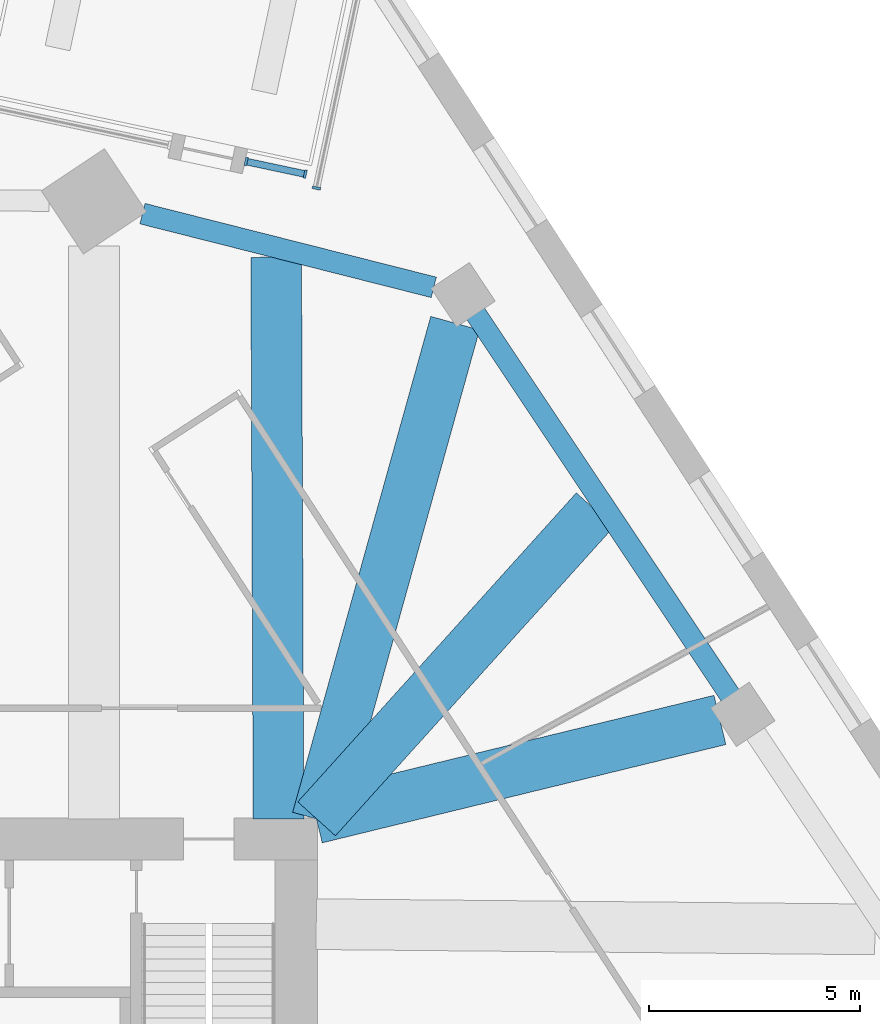
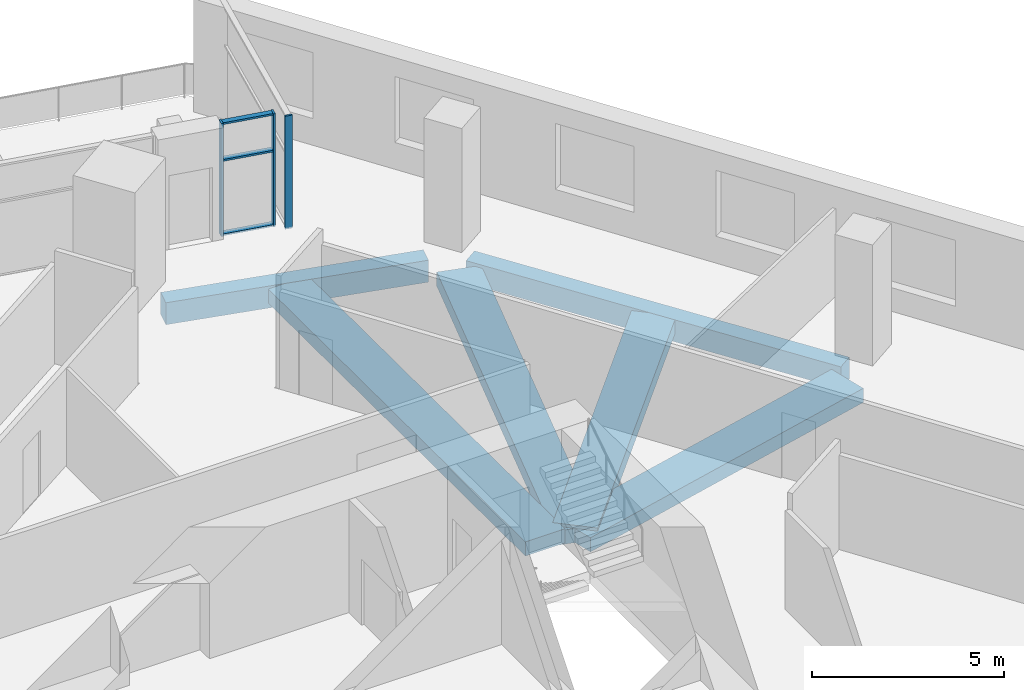
# One storey, part 2 of 12: 6 beams, 6 members, 2 elements without a shape of their own.
"""IFC4 building model written with IfcOpenShell, lengths in metres."""

from ifc_helpers import new_model, si_unit, direction, frame, origin, origin_2d, place, context, subcontext, project, spatial, rectangle, extrude, material, material_profile, profile_set, type_object, element, aggregate, save


model = new_model("IFC4")

# Units and contexts
model_context = context("Model", 3, precision=1e-05, world=origin(), true_north=direction((0.0, 1.0)))
body_context = subcontext(model_context, "Body", "Model", "MODEL_VIEW")
ifc_project = project(units=[si_unit("LENGTHUNIT", "METRE"), si_unit("AREAUNIT", "SQUARE_METRE"), si_unit("VOLUMEUNIT", "CUBIC_METRE"), si_unit("PLANEANGLEUNIT", "RADIAN"), si_unit("MASSUNIT", "GRAM", prefix="KILO")], contexts=[model_context])

# Site, building, storey
site_placement = place(None, origin())
site = spatial("IfcSite", under=ifc_project, at=site_placement, CompositionType="ELEMENT")
building_placement = place(site_placement, origin())
building = spatial("IfcBuilding", under=site, at=building_placement, Name="Dilmun Exchange Tower", CompositionType="ELEMENT")
storey_placement = place(building_placement, frame((0.0, 0.0, 159.699951171875)))
storey = spatial("IfcBuildingStorey", under=building, at=storey_placement, Name="L37", CompositionType="ELEMENT", Elevation=159.699951171875)

# Curtain wall, member
ifc_material_1 = material(Name="Anodised aluminium and clear glass", Category="aluminium")
curtain_wall_type = type_object("IfcCurtainWallType", Name="Garden corner glazing", PredefinedType="NOTDEFINED", material=ifc_material_1)
curtain_wall_1_placement = place(storey_placement, origin())
curtain_wall_1 = element("IfcCurtainWall", 1, at=curtain_wall_1_placement, inside=storey, type_object=curtain_wall_type, Name="Garden corner glazing run GC1.1", PredefinedType="NOTDEFINED")
ifc_material_2 = material(Name="Anodised aluminium", Category="aluminium")
ifc_material_profile_1 = material_profile(ifc_material_2, rectangle(XDim=0.199951171875, YDim=0.06005859375, at=origin_2d()), Name="AL 60x200")
ifc_profile_set_1 = profile_set([ifc_material_profile_1], Name="Anodised aluminium")
member_type_1 = type_object("IfcMemberType", Name="Garden corner glazing mullion 60 x 200", PredefinedType="MULLION", material=ifc_profile_set_1)
member_1_placement = place(storey_placement, frame((12.778076171875, 27.724365234375, 0.0), z_axis=(0.0, 0.0, 1.0), x_axis=(0.978147579121, -0.207911792498, 0.0)))
member_1 = element("IfcMember", 2, at=member_1_placement, type_object=member_type_1, Name="GC1.1 mullion 2", PredefinedType="MULLION", context=body_context, shape_type="SweptSolid", body=[
    extrude(rectangle(XDim=0.199951171875, YDim=0.06005859375, at=origin_2d()), origin(), (0.0, 0.0, 1.0), 3.60009765625),
])
aggregate(curtain_wall_1, [member_1])

# Curtain wall, members
curtain_wall_2_placement = place(storey_placement, origin())
curtain_wall_2 = element("IfcCurtainWall", 3, at=curtain_wall_2_placement, inside=storey, type_object=curtain_wall_type, Name="Garden corner glazing run GC2.1", PredefinedType="NOTDEFINED")
member_2_placement = place(storey_placement, frame((12.511474609375, 28.05712890625, 0.0), z_axis=(0.0, 0.0, 1.0), x_axis=(-0.207918995193, -0.978146048112, 0.0)))
member_2 = element("IfcMember", 4, at=member_2_placement, type_object=member_type_1, Name="GC2.1 mullion 1", PredefinedType="MULLION", context=body_context, shape_type="SweptSolid", body=[
    extrude(rectangle(XDim=0.199951171875, YDim=0.06005859375, at=origin_2d()), origin(), (0.0, 0.0, 1.0), 3.60009765625),
])
member_3_placement = place(storey_placement, frame((11.113525390625, 28.354248046875, 0.0), z_axis=(0.0, 0.0, 1.0), x_axis=(-0.207918995193, -0.978146048112, 0.0)))
member_3 = element("IfcMember", 5, at=member_3_placement, type_object=member_type_1, Name="GC2.1 mullion 2", PredefinedType="MULLION", context=body_context, shape_type="SweptSolid", body=[
    extrude(rectangle(XDim=0.199951171875, YDim=0.06005859375, at=origin_2d()), origin(), (0.0, 0.0, 1.0), 3.60009765625),
])
ifc_material_profile_2 = material_profile(ifc_material_2, rectangle(XDim=0.159912109375, YDim=0.06005859375, at=origin_2d()), Name="AL 60x160")
ifc_profile_set_2 = profile_set([ifc_material_profile_2], Name="Anodised aluminium")
member_type_2 = type_object("IfcMemberType", Name="Garden corner glazing transom 60 x 160", PredefinedType="USERDEFINED", material=ifc_profile_set_2)
member_4_placement = place(storey_placement, frame((12.482177734375, 28.0634765625, 0.030029296875), z_axis=(-0.97814298521, 0.207933403966, 0.0), x_axis=(-0.207933403966, -0.97814298521, 0.0)))
member_4 = element("IfcMember", 6, at=member_4_placement, type_object=member_type_2, Name="GC2.1 transom 1.1", ObjectType="TRANSOM", PredefinedType="USERDEFINED", context=body_context, shape_type="SweptSolid", body=[
    extrude(rectangle(XDim=0.159912109375, YDim=0.06005859375, at=origin_2d()), origin(), (0.0, 0.0, 1.0), 1.369140625),
])
member_5_placement = place(storey_placement, frame((12.482177734375, 28.0634765625, 2.400146484375), z_axis=(-0.97814298521, 0.207933403966, 0.0), x_axis=(-0.207933403966, -0.97814298521, 0.0)))
member_5 = element("IfcMember", 7, at=member_5_placement, type_object=member_type_2, Name="GC2.1 transom 1.2", ObjectType="TRANSOM", PredefinedType="USERDEFINED", context=body_context, shape_type="SweptSolid", body=[
    extrude(rectangle(XDim=0.159912109375, YDim=0.06005859375, at=origin_2d()), origin(), (0.0, 0.0, 1.0), 1.369140625),
])
member_6_placement = place(storey_placement, frame((12.482177734375, 28.0634765625, 3.570068359375), z_axis=(-0.97814298521, 0.207933403966, 0.0), x_axis=(-0.207933403966, -0.97814298521, 0.0)))
member_6 = element("IfcMember", 8, at=member_6_placement, type_object=member_type_2, Name="GC2.1 transom 1.3", ObjectType="TRANSOM", PredefinedType="USERDEFINED", context=body_context, shape_type="SweptSolid", body=[
    extrude(rectangle(XDim=0.159912109375, YDim=0.06005859375, at=origin_2d()), origin(), (0.0, 0.0, 1.0), 1.369140625),
])
aggregate(curtain_wall_2, [member_2, member_3, member_4, member_5, member_6])

# Beams
ifc_material_3 = material(Name="Concrete C40/50", Category="concrete")
ifc_material_profile_3 = material_profile(ifc_material_3, rectangle(XDim=1.199951171875, YDim=0.449951171875, at=origin_2d()), Name="1200 x 450")
ifc_profile_set_3 = profile_set([ifc_material_profile_3], Name="Concrete C40/50")
beam_type_1 = type_object("IfcBeamType", Name="RC band beam 1200 x 450 C40/50", PredefinedType="BEAM", material=ifc_profile_set_3)
beam_1_placement = place(storey_placement, frame((22.33837890625, 15.122802734375, -0.724853515625), z_axis=(-0.971607999859, -0.236596480554, 0.0), x_axis=(0.236596480554, -0.971607999859, 0.0)))
element("IfcBeam", 9, at=beam_1_placement, inside=storey, type_object=beam_type_1, Name="Band beam 15", PredefinedType="BEAM", context=body_context, shape_type="SweptSolid", body=[
    extrude(rectangle(XDim=1.199951171875, YDim=0.449951171875, at=origin_2d()), origin(), (0.0, 0.0, 1.0), 9.84423828125),
])
beam_2_placement = place(storey_placement, frame((16.064453125, 24.524658203125, -0.724853515625), z_axis=(-0.268225004284, -0.963356292904, 0.0), x_axis=(0.963356292904, -0.268225004284, 0.0)))
element("IfcBeam", 10, at=beam_2_placement, inside=storey, type_object=beam_type_1, Name="Band beam 16", PredefinedType="BEAM", context=body_context, shape_type="SweptSolid", body=[
    extrude(rectangle(XDim=1.199951171875, YDim=0.449951171875, at=origin_2d()), origin(), (0.0, 0.0, 1.0), 12.19775390625),
])
beam_3_placement = place(storey_placement, frame((19.381103515625, 20.102783203125, -0.625), z_axis=(-0.669462647611, -0.742845719819, 0.0), x_axis=(0.742845719819, -0.669462647611, 0.0)))
element("IfcBeam", 11, at=beam_3_placement, inside=storey, type_object=beam_type_1, Name="Band beam 31", PredefinedType="BEAM", context=body_context, shape_type="SweptSolid", body=[
    extrude(rectangle(XDim=1.199951171875, YDim=0.449951171875, at=origin_2d()), origin(), (0.0, 0.0, 1.0), 9.857666015625),
])
beam_4_placement = place(storey_placement, frame((11.82421875, 26.087890625, -0.625), z_axis=(0.004107193345, -0.999991565446, 0.0), x_axis=(0.999991565446, 0.004107193345, 0.0)))
element("IfcBeam", 12, at=beam_4_placement, inside=storey, type_object=beam_type_1, Name="Band beam 32", PredefinedType="BEAM", context=body_context, shape_type="SweptSolid", body=[
    extrude(rectangle(XDim=1.199951171875, YDim=0.449951171875, at=origin_2d()), origin(), (0.0, 0.0, 1.0), 13.31494140625),
])
ifc_material_profile_4 = material_profile(ifc_material_3, rectangle(XDim=0.5, YDim=0.699951171875, at=origin_2d()), Name="500 x 700")
ifc_profile_set_4 = profile_set([ifc_material_profile_4], Name="Concrete C40/50")
beam_type_2 = type_object("IfcBeamType", Name="RC ring beam 500 x 700 C40/50", PredefinedType="SPANDREL", material=ifc_profile_set_4)
beam_5_placement = place(storey_placement, frame((22.5908203125, 15.690185546875, -0.75), z_axis=(-0.554731197186, 0.832029626196, 0.0), x_axis=(-0.832029626196, -0.554731197186, 0.0)))
element("IfcBeam", 13, at=beam_5_placement, inside=storey, type_object=beam_type_2, Name="Ring beam 15", PredefinedType="SPANDREL", context=body_context, shape_type="SweptSolid", body=[
    extrude(rectangle(XDim=0.5, YDim=0.699951171875, at=origin_2d()), origin(), (0.0, 0.0, 1.0), 10.904052734375),
])
beam_6_placement = place(storey_placement, frame((15.559326171875, 25.373291015625, -0.75), z_axis=(-0.96947736899, 0.245180812903, 0.0), x_axis=(-0.245180812903, -0.96947736899, 0.0)))
element("IfcBeam", 14, at=beam_6_placement, inside=storey, type_object=beam_type_2, Name="Ring beam 16", PredefinedType="SPANDREL", context=body_context, shape_type="SweptSolid", body=[
    extrude(rectangle(XDim=0.5, YDim=0.699951171875, at=origin_2d()), origin(), (0.0, 0.0, 1.0), 7.12060546875),
])

save(model, "model.ifc")
